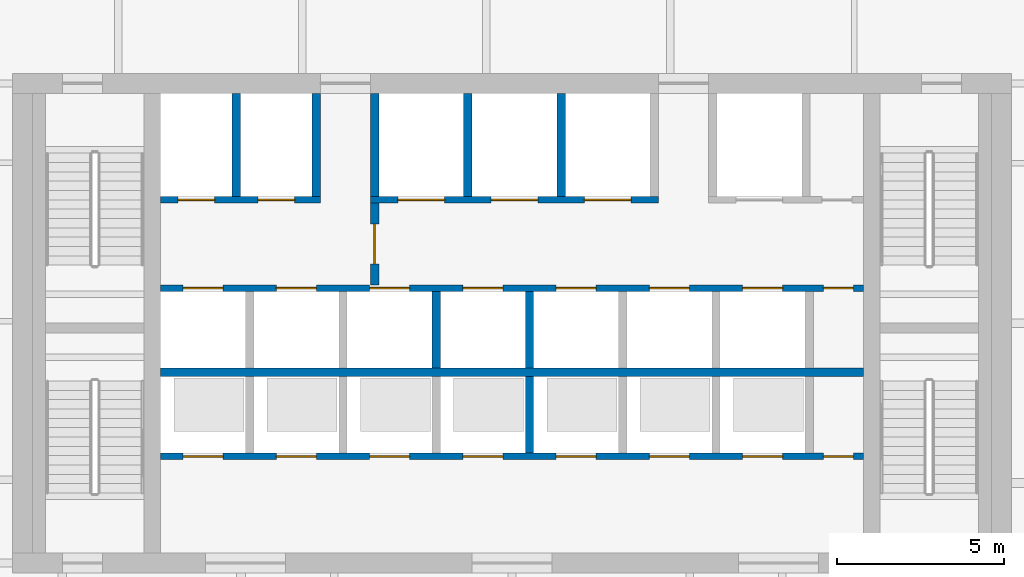
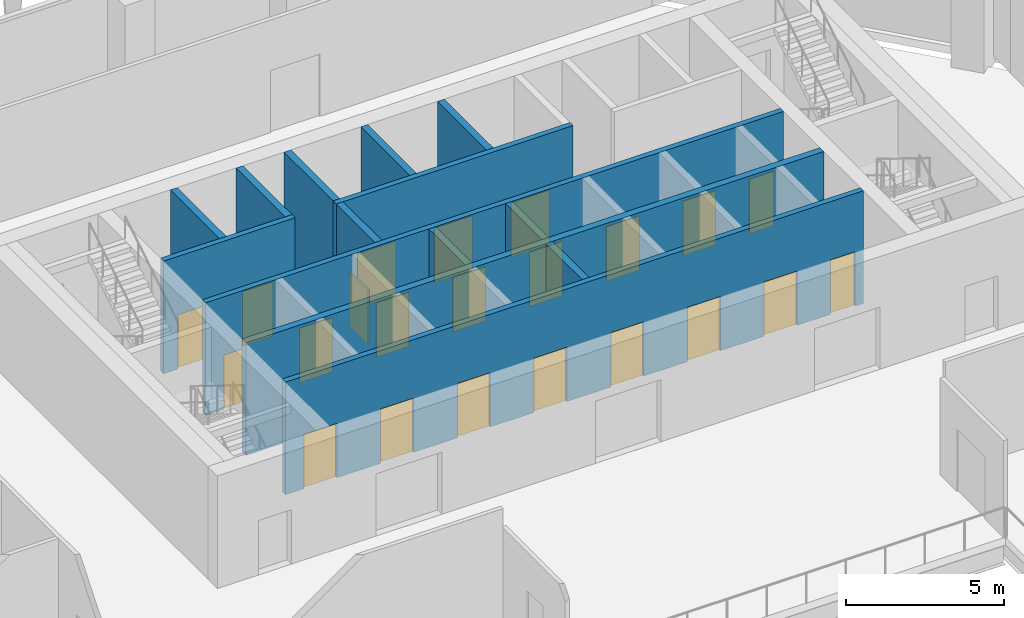
# One storey, part 10 of 21: 22 doors, 14 walls, 22 openings.
"""IFC4 building model written with IfcOpenShell, lengths in metres."""

from ifc_helpers import new_model, si_unit, direction, frame, frame_2d, origin, place, context, subcontext, project, spatial, rectangle, extrude, material, layer, layer_set, type_object, element, fill, save


model = new_model("IFC4")

# Units and contexts
model_context = context("Model", 3, precision=1e-05, world=origin(), true_north=direction((0.0, 1.0)))
body_context = subcontext(model_context, "Body", "Model", "MODEL_VIEW")
ifc_project = project(units=[si_unit("LENGTHUNIT", "METRE"), si_unit("AREAUNIT", "SQUARE_METRE"), si_unit("VOLUMEUNIT", "CUBIC_METRE"), si_unit("PLANEANGLEUNIT", "RADIAN"), si_unit("MASSUNIT", "GRAM", prefix="KILO")], contexts=[model_context])

# Site, building, storey
site_placement = place(None, origin())
site = spatial("IfcSite", under=ifc_project, at=site_placement, CompositionType="ELEMENT")
building_placement = place(site_placement, origin())
building = spatial("IfcBuilding", under=site, at=building_placement, Name="Isthmus Gate Tower", CompositionType="ELEMENT")
storey_placement = place(building_placement, frame((0.0, 0.0, 211.800048828125)))
storey = spatial("IfcBuildingStorey", under=building, at=storey_placement, Name="L53", CompositionType="ELEMENT", Elevation=211.800048828125)

# Wall, opening, door
ifc_material_1 = material(Name="Fire-rated blockwork masonry, 15 MPa", Category="masonry")
ifc_layer_1 = layer(ifc_material_1, 0.25)
ifc_layer_set_1 = layer_set([ifc_layer_1], Name="FIRE-FIGHTING LOBBY WALL 250 90 MIN")
wall_type_1 = type_object("IfcWallType", Name="FIRE-FIGHTING LOBBY WALL 250 90 MIN", PredefinedType="PARTITIONING", material=ifc_layer_set_1)
wall_1_placement = place(storey_placement, frame((-4.125, 8.64990234375, 0.0), z_axis=(0.0, 0.0, 1.0), x_axis=(0.0, 1.0, 0.0)))
wall_1 = element("IfcWall", 1, at=wall_1_placement, inside=storey, type_object=wall_type_1, Name="L53 FIRE-FIGHTING LOBBY WALL 250 90 MIN", PredefinedType="PARTITIONING", context=body_context, shape_type="SweptSolid", body=[
    extrude(rectangle(XDim=2.4501953125, YDim=0.25, at=frame_2d((1.22509765625, 0.0))), origin(), (0.0, 0.0, 1.0), 4.349853515625),
])
opening_1_placement = place(wall_1_placement, frame((0.625, 0.0, 0.0)))
opening_1 = element("IfcOpeningElement", 2, at=opening_1_placement, cuts=wall_1, Name="Opening DC-A15-01", PredefinedType="OPENING", context=body_context, shape_type="SweptSolid", body=[
    extrude(rectangle(XDim=1.199951171875, YDim=2.10009765625, at=frame_2d((0.60009765625, 1.050048828125))), frame((0.0, 0.135009765625, 0.0), z_axis=(0.0, -1.0, 0.0), x_axis=(1.0, 0.0, 0.0)), (0.0, 0.0, 1.0), 0.27001953125),
])
ifc_material_2 = material(Name="Steel door leaf, fire-rated", Category="steel")
door_type_1 = type_object("IfcDoorType", Name="LOBBY FIRE DOOR 1200 X 2100 90 MIN", OperationType="DOUBLE_DOOR_SINGLE_SWING", PredefinedType="DOOR", material=ifc_material_2)
door_1_placement = place(opening_1_placement, origin())
door_1 = element("IfcDoor", 3, at=door_1_placement, inside=storey, type_object=door_type_1, Name="Fire-fighting Lobby Door", OperationType="SINGLE_SWING_LEFT", OverallHeight=2.10009765625, OverallWidth=1.199951171875, PredefinedType="DOOR", context=body_context, shape_type="SweptSolid", body=[
    extrude(rectangle(XDim=1.199951171875, YDim=2.10009765625, at=frame_2d((0.60009765625, 1.050048828125))), frame((0.0, 0.02490234375, 0.0), z_axis=(0.0, -1.0, 0.0), x_axis=(1.0, 0.0, 0.0)), (0.0, 0.0, 1.0), 0.050048828125),
])
fill(opening_1, door_1)

# Wall, openings, doors
ifc_material_3 = material(Name="Fire-rated blockwork masonry, 15 MPa", Category="masonry")
ifc_layer_2 = layer(ifc_material_3, 0.199951171875)
ifc_layer_set_2 = layer_set([ifc_layer_2], Name="SHAFT FRONT WALL 200 120 MIN")
wall_type_2 = type_object("IfcWallType", Name="SHAFT FRONT WALL 200 120 MIN", PredefinedType="PARTITIONING", material=ifc_layer_set_2)
wall_2_placement = place(storey_placement, frame((-10.550048828125, 3.5, 0.0), z_axis=(0.0, 0.0, 1.0), x_axis=(1.0, 0.0, 0.0)))
wall_2 = element("IfcWall", 4, at=wall_2_placement, inside=storey, type_object=wall_type_2, Name="L53 SHAFT FRONT WALL 200 120 MIN", PredefinedType="PARTITIONING", context=body_context, shape_type="SweptSolid", body=[
    extrude(rectangle(XDim=21.10009765625, YDim=0.199951171875, at=frame_2d((10.550048828125, 0.0))), origin(), (0.0, 0.0, 1.0), 4.349853515625),
])
opening_2_placement = place(wall_2_placement, frame((0.675048828125, 0.0, 0.0)))
opening_2 = element("IfcOpeningElement", 5, at=opening_2_placement, cuts=wall_2, Name="Opening LD-LC1", PredefinedType="OPENING", context=body_context, shape_type="SweptSolid", body=[
    extrude(rectangle(XDim=1.199951171875, YDim=2.10009765625, at=frame_2d((0.60009765625, 1.050048828125))), frame((0.0, 0.10986328125, 0.0), z_axis=(0.0, -1.0, 0.0), x_axis=(1.0, 0.0, 0.0)), (0.0, 0.0, 1.0), 0.219970703125),
])
opening_3_placement = place(wall_2_placement, frame((3.47509765625, 0.0, 0.0)))
opening_3 = element("IfcOpeningElement", 6, at=opening_3_placement, cuts=wall_2, Name="Opening LD-LC2", PredefinedType="OPENING", context=body_context, shape_type="SweptSolid", body=[
    extrude(rectangle(XDim=1.199951171875, YDim=2.10009765625, at=frame_2d((0.60009765625, 1.050048828125))), frame((0.0, 0.10986328125, 0.0), z_axis=(0.0, -1.0, 0.0), x_axis=(1.0, 0.0, 0.0)), (0.0, 0.0, 1.0), 0.219970703125),
])
opening_4_placement = place(wall_2_placement, frame((6.27490234375, 0.0, 0.0)))
opening_4 = element("IfcOpeningElement", 7, at=opening_4_placement, cuts=wall_2, Name="Opening LD-LC3", PredefinedType="OPENING", context=body_context, shape_type="SweptSolid", body=[
    extrude(rectangle(XDim=1.199951171875, YDim=2.10009765625, at=frame_2d((0.60009765625, 1.050048828125))), frame((0.0, 0.10986328125, 0.0), z_axis=(0.0, -1.0, 0.0), x_axis=(1.0, 0.0, 0.0)), (0.0, 0.0, 1.0), 0.219970703125),
])
opening_5_placement = place(wall_2_placement, frame((9.074951171875, 0.0, 0.0)))
opening_5 = element("IfcOpeningElement", 8, at=opening_5_placement, cuts=wall_2, Name="Opening LD-LC4", PredefinedType="OPENING", context=body_context, shape_type="SweptSolid", body=[
    extrude(rectangle(XDim=1.199951171875, YDim=2.10009765625, at=frame_2d((0.60009765625, 1.050048828125))), frame((0.0, 0.10986328125, 0.0), z_axis=(0.0, -1.0, 0.0), x_axis=(1.0, 0.0, 0.0)), (0.0, 0.0, 1.0), 0.219970703125),
])
opening_6_placement = place(wall_2_placement, frame((11.875, 0.0, 0.0)))
opening_6 = element("IfcOpeningElement", 9, at=opening_6_placement, cuts=wall_2, Name="Opening LD-LC5", PredefinedType="OPENING", context=body_context, shape_type="SweptSolid", body=[
    extrude(rectangle(XDim=1.199951171875, YDim=2.10009765625, at=frame_2d((0.60009765625, 1.050048828125))), frame((0.0, 0.10986328125, 0.0), z_axis=(0.0, -1.0, 0.0), x_axis=(1.0, 0.0, 0.0)), (0.0, 0.0, 1.0), 0.219970703125),
])
opening_7_placement = place(wall_2_placement, frame((14.675048828125, 0.0, 0.0)))
opening_7 = element("IfcOpeningElement", 10, at=opening_7_placement, cuts=wall_2, Name="Opening LD-LC6", PredefinedType="OPENING", context=body_context, shape_type="SweptSolid", body=[
    extrude(rectangle(XDim=1.199951171875, YDim=2.10009765625, at=frame_2d((0.60009765625, 1.050048828125))), frame((0.0, 0.10986328125, 0.0), z_axis=(0.0, -1.0, 0.0), x_axis=(1.0, 0.0, 0.0)), (0.0, 0.0, 1.0), 0.219970703125),
])
opening_8_placement = place(wall_2_placement, frame((17.47509765625, 0.0, 0.0)))
opening_8 = element("IfcOpeningElement", 11, at=opening_8_placement, cuts=wall_2, Name="Opening LD-LC7", PredefinedType="OPENING", context=body_context, shape_type="SweptSolid", body=[
    extrude(rectangle(XDim=1.199951171875, YDim=2.10009765625, at=frame_2d((0.60009765625, 1.050048828125))), frame((0.0, 0.10986328125, 0.0), z_axis=(0.0, -1.0, 0.0), x_axis=(1.0, 0.0, 0.0)), (0.0, 0.0, 1.0), 0.219970703125),
])
opening_9_placement = place(wall_2_placement, frame((19.89990234375, 0.0, 0.0)))
opening_9 = element("IfcOpeningElement", 12, at=opening_9_placement, cuts=wall_2, Name="Opening DC-A15-02", PredefinedType="OPENING", context=body_context, shape_type="SweptSolid", body=[
    extrude(rectangle(XDim=0.89990234375, YDim=2.10009765625, at=frame_2d((0.449951171875, 1.050048828125))), frame((0.0, 0.10986328125, 0.0), z_axis=(0.0, -1.0, 0.0), x_axis=(1.0, 0.0, 0.0)), (0.0, 0.0, 1.0), 0.219970703125),
])
ifc_material_4 = material(Name="Stainless steel sliding leaf", Category="steel")
door_type_2 = type_object("IfcDoorType", Name="LIFT LANDING FIRE DOOR 1200 X 2100 90 MIN", OperationType="DOUBLE_DOOR_SLIDING", PredefinedType="DOOR", material=ifc_material_4)
door_2_placement = place(opening_2_placement, origin())
door_2 = element("IfcDoor", 13, at=door_2_placement, inside=storey, type_object=door_type_2, Name="Lift Landing Door LC1", OperationType="DOUBLE_DOOR_SLIDING", OverallHeight=2.10009765625, OverallWidth=1.199951171875, PredefinedType="DOOR", context=body_context, shape_type="SweptSolid", body=[
    extrude(rectangle(XDim=1.199951171875, YDim=2.10009765625, at=frame_2d((0.60009765625, 1.050048828125))), frame((0.0, 0.02490234375, 0.0), z_axis=(0.0, -1.0, 0.0), x_axis=(1.0, 0.0, 0.0)), (0.0, 0.0, 1.0), 0.050048828125),
])
fill(opening_2, door_2)
door_3_placement = place(opening_3_placement, origin())
door_3 = element("IfcDoor", 14, at=door_3_placement, inside=storey, type_object=door_type_2, Name="Lift Landing Door LC2", OperationType="DOUBLE_DOOR_SLIDING", OverallHeight=2.10009765625, OverallWidth=1.199951171875, PredefinedType="DOOR", context=body_context, shape_type="SweptSolid", body=[
    extrude(rectangle(XDim=1.199951171875, YDim=2.10009765625, at=frame_2d((0.60009765625, 1.050048828125))), frame((0.0, 0.02490234375, 0.0), z_axis=(0.0, -1.0, 0.0), x_axis=(1.0, 0.0, 0.0)), (0.0, 0.0, 1.0), 0.050048828125),
])
fill(opening_3, door_3)
door_4_placement = place(opening_4_placement, origin())
door_4 = element("IfcDoor", 15, at=door_4_placement, inside=storey, type_object=door_type_2, Name="Lift Landing Door LC3", OperationType="DOUBLE_DOOR_SLIDING", OverallHeight=2.10009765625, OverallWidth=1.199951171875, PredefinedType="DOOR", context=body_context, shape_type="SweptSolid", body=[
    extrude(rectangle(XDim=1.199951171875, YDim=2.10009765625, at=frame_2d((0.60009765625, 1.050048828125))), frame((0.0, 0.02490234375, 0.0), z_axis=(0.0, -1.0, 0.0), x_axis=(1.0, 0.0, 0.0)), (0.0, 0.0, 1.0), 0.050048828125),
])
fill(opening_4, door_4)
door_5_placement = place(opening_5_placement, origin())
door_5 = element("IfcDoor", 16, at=door_5_placement, inside=storey, type_object=door_type_2, Name="Lift Landing Door LC4", OperationType="DOUBLE_DOOR_SLIDING", OverallHeight=2.10009765625, OverallWidth=1.199951171875, PredefinedType="DOOR", context=body_context, shape_type="SweptSolid", body=[
    extrude(rectangle(XDim=1.199951171875, YDim=2.10009765625, at=frame_2d((0.60009765625, 1.050048828125))), frame((0.0, 0.02490234375, 0.0), z_axis=(0.0, -1.0, 0.0), x_axis=(1.0, 0.0, 0.0)), (0.0, 0.0, 1.0), 0.050048828125),
])
fill(opening_5, door_5)
door_6_placement = place(opening_6_placement, origin())
door_6 = element("IfcDoor", 17, at=door_6_placement, inside=storey, type_object=door_type_2, Name="Lift Landing Door LC5", OperationType="DOUBLE_DOOR_SLIDING", OverallHeight=2.10009765625, OverallWidth=1.199951171875, PredefinedType="DOOR", context=body_context, shape_type="SweptSolid", body=[
    extrude(rectangle(XDim=1.199951171875, YDim=2.10009765625, at=frame_2d((0.60009765625, 1.050048828125))), frame((0.0, 0.02490234375, 0.0), z_axis=(0.0, -1.0, 0.0), x_axis=(1.0, 0.0, 0.0)), (0.0, 0.0, 1.0), 0.050048828125),
])
fill(opening_6, door_6)
door_7_placement = place(opening_7_placement, origin())
door_7 = element("IfcDoor", 18, at=door_7_placement, inside=storey, type_object=door_type_2, Name="Lift Landing Door LC6", OperationType="DOUBLE_DOOR_SLIDING", OverallHeight=2.10009765625, OverallWidth=1.199951171875, PredefinedType="DOOR", context=body_context, shape_type="SweptSolid", body=[
    extrude(rectangle(XDim=1.199951171875, YDim=2.10009765625, at=frame_2d((0.60009765625, 1.050048828125))), frame((0.0, 0.02490234375, 0.0), z_axis=(0.0, -1.0, 0.0), x_axis=(1.0, 0.0, 0.0)), (0.0, 0.0, 1.0), 0.050048828125),
])
fill(opening_7, door_7)
door_8_placement = place(opening_8_placement, origin())
door_8 = element("IfcDoor", 19, at=door_8_placement, inside=storey, type_object=door_type_2, Name="Lift Landing Door LC7", OperationType="DOUBLE_DOOR_SLIDING", OverallHeight=2.10009765625, OverallWidth=1.199951171875, PredefinedType="DOOR", context=body_context, shape_type="SweptSolid", body=[
    extrude(rectangle(XDim=1.199951171875, YDim=2.10009765625, at=frame_2d((0.60009765625, 1.050048828125))), frame((0.0, 0.02490234375, 0.0), z_axis=(0.0, -1.0, 0.0), x_axis=(1.0, 0.0, 0.0)), (0.0, 0.0, 1.0), 0.050048828125),
])
fill(opening_8, door_8)
ifc_material_5 = material(Name="Steel door leaf, fire-rated", Category="steel")
door_type_3 = type_object("IfcDoorType", Name="RISER FIRE DOOR 900 X 2100 90 MIN", OperationType="SINGLE_SWING_LEFT", PredefinedType="DOOR", material=ifc_material_5)
door_9_placement = place(opening_9_placement, origin())
door_9 = element("IfcDoor", 20, at=door_9_placement, inside=storey, type_object=door_type_3, Name="Riser Door", OperationType="SINGLE_SWING_RIGHT", OverallHeight=2.10009765625, OverallWidth=0.89990234375, PredefinedType="DOOR", context=body_context, shape_type="SweptSolid", body=[
    extrude(rectangle(XDim=0.89990234375, YDim=2.10009765625, at=frame_2d((0.449951171875, 1.050048828125))), frame((0.0, 0.02490234375, 0.0), z_axis=(0.0, -1.0, 0.0), x_axis=(1.0, 0.0, 0.0)), (0.0, 0.0, 1.0), 0.050048828125),
])
fill(opening_9, door_9)

wall_3_placement = place(storey_placement, frame((-10.550048828125, 8.550048828125, 0.0), z_axis=(0.0, 0.0, 1.0), x_axis=(1.0, 0.0, 0.0)))
wall_3 = element("IfcWall", 21, at=wall_3_placement, inside=storey, type_object=wall_type_2, Name="L53 SHAFT FRONT WALL 200 120 MIN", PredefinedType="PARTITIONING", context=body_context, shape_type="SweptSolid", body=[
    extrude(rectangle(XDim=21.10009765625, YDim=0.199951171875, at=frame_2d((10.550048828125, 0.0))), origin(), (0.0, 0.0, 1.0), 4.349853515625),
])
opening_10_placement = place(wall_3_placement, frame((0.675048828125, 0.0, 0.0)))
opening_10 = element("IfcOpeningElement", 22, at=opening_10_placement, cuts=wall_3, Name="Opening LD-LB1", PredefinedType="OPENING", context=body_context, shape_type="SweptSolid", body=[
    extrude(rectangle(XDim=1.199951171875, YDim=2.10009765625, at=frame_2d((0.60009765625, 1.050048828125))), frame((0.0, 0.10986328125, 0.0), z_axis=(0.0, -1.0, 0.0), x_axis=(1.0, 0.0, 0.0)), (0.0, 0.0, 1.0), 0.219970703125),
])
opening_11_placement = place(wall_3_placement, frame((3.47509765625, 0.0, 0.0)))
opening_11 = element("IfcOpeningElement", 23, at=opening_11_placement, cuts=wall_3, Name="Opening LD-LB2", PredefinedType="OPENING", context=body_context, shape_type="SweptSolid", body=[
    extrude(rectangle(XDim=1.199951171875, YDim=2.10009765625, at=frame_2d((0.60009765625, 1.050048828125))), frame((0.0, 0.10986328125, 0.0), z_axis=(0.0, -1.0, 0.0), x_axis=(1.0, 0.0, 0.0)), (0.0, 0.0, 1.0), 0.219970703125),
])
opening_12_placement = place(wall_3_placement, frame((6.27490234375, 0.0, 0.0)))
opening_12 = element("IfcOpeningElement", 24, at=opening_12_placement, cuts=wall_3, Name="Opening LD-LB3", PredefinedType="OPENING", context=body_context, shape_type="SweptSolid", body=[
    extrude(rectangle(XDim=1.199951171875, YDim=2.10009765625, at=frame_2d((0.60009765625, 1.050048828125))), frame((0.0, 0.10986328125, 0.0), z_axis=(0.0, -1.0, 0.0), x_axis=(1.0, 0.0, 0.0)), (0.0, 0.0, 1.0), 0.219970703125),
])
opening_13_placement = place(wall_3_placement, frame((9.074951171875, 0.0, 0.0)))
opening_13 = element("IfcOpeningElement", 25, at=opening_13_placement, cuts=wall_3, Name="Opening LD-LB4", PredefinedType="OPENING", context=body_context, shape_type="SweptSolid", body=[
    extrude(rectangle(XDim=1.199951171875, YDim=2.10009765625, at=frame_2d((0.60009765625, 1.050048828125))), frame((0.0, 0.10986328125, 0.0), z_axis=(0.0, -1.0, 0.0), x_axis=(1.0, 0.0, 0.0)), (0.0, 0.0, 1.0), 0.219970703125),
])
opening_14_placement = place(wall_3_placement, frame((11.875, 0.0, 0.0)))
opening_14 = element("IfcOpeningElement", 26, at=opening_14_placement, cuts=wall_3, Name="Opening LD-LB5", PredefinedType="OPENING", context=body_context, shape_type="SweptSolid", body=[
    extrude(rectangle(XDim=1.199951171875, YDim=2.10009765625, at=frame_2d((0.60009765625, 1.050048828125))), frame((0.0, 0.10986328125, 0.0), z_axis=(0.0, -1.0, 0.0), x_axis=(1.0, 0.0, 0.0)), (0.0, 0.0, 1.0), 0.219970703125),
])
opening_15_placement = place(wall_3_placement, frame((14.675048828125, 0.0, 0.0)))
opening_15 = element("IfcOpeningElement", 27, at=opening_15_placement, cuts=wall_3, Name="Opening LD-LB6", PredefinedType="OPENING", context=body_context, shape_type="SweptSolid", body=[
    extrude(rectangle(XDim=1.199951171875, YDim=2.10009765625, at=frame_2d((0.60009765625, 1.050048828125))), frame((0.0, 0.10986328125, 0.0), z_axis=(0.0, -1.0, 0.0), x_axis=(1.0, 0.0, 0.0)), (0.0, 0.0, 1.0), 0.219970703125),
])
opening_16_placement = place(wall_3_placement, frame((17.47509765625, 0.0, 0.0)))
opening_16 = element("IfcOpeningElement", 28, at=opening_16_placement, cuts=wall_3, Name="Opening LD-LB7", PredefinedType="OPENING", context=body_context, shape_type="SweptSolid", body=[
    extrude(rectangle(XDim=1.199951171875, YDim=2.10009765625, at=frame_2d((0.60009765625, 1.050048828125))), frame((0.0, 0.10986328125, 0.0), z_axis=(0.0, -1.0, 0.0), x_axis=(1.0, 0.0, 0.0)), (0.0, 0.0, 1.0), 0.219970703125),
])
opening_17_placement = place(wall_3_placement, frame((19.89990234375, 0.0, 0.0)))
opening_17 = element("IfcOpeningElement", 29, at=opening_17_placement, cuts=wall_3, Name="Opening DC-A15-03", PredefinedType="OPENING", context=body_context, shape_type="SweptSolid", body=[
    extrude(rectangle(XDim=0.89990234375, YDim=2.10009765625, at=frame_2d((0.449951171875, 1.050048828125))), frame((0.0, 0.10986328125, 0.0), z_axis=(0.0, -1.0, 0.0), x_axis=(1.0, 0.0, 0.0)), (0.0, 0.0, 1.0), 0.219970703125),
])
door_10_placement = place(opening_10_placement, origin())
door_10 = element("IfcDoor", 30, at=door_10_placement, inside=storey, type_object=door_type_2, Name="Lift Landing Door LB1", OperationType="DOUBLE_DOOR_SLIDING", OverallHeight=2.10009765625, OverallWidth=1.199951171875, PredefinedType="DOOR", context=body_context, shape_type="SweptSolid", body=[
    extrude(rectangle(XDim=1.199951171875, YDim=2.10009765625, at=frame_2d((0.60009765625, 1.050048828125))), frame((0.0, 0.02490234375, 0.0), z_axis=(0.0, -1.0, 0.0), x_axis=(1.0, 0.0, 0.0)), (0.0, 0.0, 1.0), 0.050048828125),
])
fill(opening_10, door_10)
door_11_placement = place(opening_11_placement, origin())
door_11 = element("IfcDoor", 31, at=door_11_placement, inside=storey, type_object=door_type_2, Name="Lift Landing Door LB2", OperationType="DOUBLE_DOOR_SLIDING", OverallHeight=2.10009765625, OverallWidth=1.199951171875, PredefinedType="DOOR", context=body_context, shape_type="SweptSolid", body=[
    extrude(rectangle(XDim=1.199951171875, YDim=2.10009765625, at=frame_2d((0.60009765625, 1.050048828125))), frame((0.0, 0.02490234375, 0.0), z_axis=(0.0, -1.0, 0.0), x_axis=(1.0, 0.0, 0.0)), (0.0, 0.0, 1.0), 0.050048828125),
])
fill(opening_11, door_11)
door_12_placement = place(opening_12_placement, origin())
door_12 = element("IfcDoor", 32, at=door_12_placement, inside=storey, type_object=door_type_2, Name="Lift Landing Door LB3", OperationType="DOUBLE_DOOR_SLIDING", OverallHeight=2.10009765625, OverallWidth=1.199951171875, PredefinedType="DOOR", context=body_context, shape_type="SweptSolid", body=[
    extrude(rectangle(XDim=1.199951171875, YDim=2.10009765625, at=frame_2d((0.60009765625, 1.050048828125))), frame((0.0, 0.02490234375, 0.0), z_axis=(0.0, -1.0, 0.0), x_axis=(1.0, 0.0, 0.0)), (0.0, 0.0, 1.0), 0.050048828125),
])
fill(opening_12, door_12)
door_13_placement = place(opening_13_placement, origin())
door_13 = element("IfcDoor", 33, at=door_13_placement, inside=storey, type_object=door_type_2, Name="Lift Landing Door LB4", OperationType="DOUBLE_DOOR_SLIDING", OverallHeight=2.10009765625, OverallWidth=1.199951171875, PredefinedType="DOOR", context=body_context, shape_type="SweptSolid", body=[
    extrude(rectangle(XDim=1.199951171875, YDim=2.10009765625, at=frame_2d((0.60009765625, 1.050048828125))), frame((0.0, 0.02490234375, 0.0), z_axis=(0.0, -1.0, 0.0), x_axis=(1.0, 0.0, 0.0)), (0.0, 0.0, 1.0), 0.050048828125),
])
fill(opening_13, door_13)
door_14_placement = place(opening_14_placement, origin())
door_14 = element("IfcDoor", 34, at=door_14_placement, inside=storey, type_object=door_type_2, Name="Lift Landing Door LB5", OperationType="DOUBLE_DOOR_SLIDING", OverallHeight=2.10009765625, OverallWidth=1.199951171875, PredefinedType="DOOR", context=body_context, shape_type="SweptSolid", body=[
    extrude(rectangle(XDim=1.199951171875, YDim=2.10009765625, at=frame_2d((0.60009765625, 1.050048828125))), frame((0.0, 0.02490234375, 0.0), z_axis=(0.0, -1.0, 0.0), x_axis=(1.0, 0.0, 0.0)), (0.0, 0.0, 1.0), 0.050048828125),
])
fill(opening_14, door_14)
door_15_placement = place(opening_15_placement, origin())
door_15 = element("IfcDoor", 35, at=door_15_placement, inside=storey, type_object=door_type_2, Name="Lift Landing Door LB6", OperationType="DOUBLE_DOOR_SLIDING", OverallHeight=2.10009765625, OverallWidth=1.199951171875, PredefinedType="DOOR", context=body_context, shape_type="SweptSolid", body=[
    extrude(rectangle(XDim=1.199951171875, YDim=2.10009765625, at=frame_2d((0.60009765625, 1.050048828125))), frame((0.0, 0.02490234375, 0.0), z_axis=(0.0, -1.0, 0.0), x_axis=(1.0, 0.0, 0.0)), (0.0, 0.0, 1.0), 0.050048828125),
])
fill(opening_15, door_15)
door_16_placement = place(opening_16_placement, origin())
door_16 = element("IfcDoor", 36, at=door_16_placement, inside=storey, type_object=door_type_2, Name="Lift Landing Door LB7", OperationType="DOUBLE_DOOR_SLIDING", OverallHeight=2.10009765625, OverallWidth=1.199951171875, PredefinedType="DOOR", context=body_context, shape_type="SweptSolid", body=[
    extrude(rectangle(XDim=1.199951171875, YDim=2.10009765625, at=frame_2d((0.60009765625, 1.050048828125))), frame((0.0, 0.02490234375, 0.0), z_axis=(0.0, -1.0, 0.0), x_axis=(1.0, 0.0, 0.0)), (0.0, 0.0, 1.0), 0.050048828125),
])
fill(opening_16, door_16)
door_17_placement = place(opening_17_placement, origin())
door_17 = element("IfcDoor", 37, at=door_17_placement, inside=storey, type_object=door_type_3, Name="Riser Door", OperationType="SINGLE_SWING_RIGHT", OverallHeight=2.10009765625, OverallWidth=0.89990234375, PredefinedType="DOOR", context=body_context, shape_type="SweptSolid", body=[
    extrude(rectangle(XDim=0.89990234375, YDim=2.10009765625, at=frame_2d((0.449951171875, 1.050048828125))), frame((0.0, 0.02490234375, 0.0), z_axis=(0.0, -1.0, 0.0), x_axis=(1.0, 0.0, 0.0)), (0.0, 0.0, 1.0), 0.050048828125),
])
fill(opening_17, door_17)

wall_4_placement = place(storey_placement, frame((-10.550048828125, 11.199951171875, 0.0), z_axis=(0.0, 0.0, 1.0), x_axis=(1.0, 0.0, 0.0)))
wall_4 = element("IfcWall", 38, at=wall_4_placement, inside=storey, type_object=wall_type_2, Name="L53 SHAFT FRONT WALL 200 120 MIN", PredefinedType="PARTITIONING", context=body_context, shape_type="SweptSolid", body=[
    extrude(rectangle(XDim=4.800048828125, YDim=0.199951171875, at=frame_2d((2.39990234375, 0.0))), origin(), (0.0, 0.0, 1.0), 4.349853515625),
])
opening_18_placement = place(wall_4_placement, frame((0.52490234375, 0.0, 0.0)))
opening_18 = element("IfcOpeningElement", 39, at=opening_18_placement, cuts=wall_4, Name="Opening LD-LF1", PredefinedType="OPENING", context=body_context, shape_type="SweptSolid", body=[
    extrude(rectangle(XDim=1.10009765625, YDim=2.10009765625, at=frame_2d((0.550048828125, 1.050048828125))), frame((0.0, 0.10986328125, 0.0), z_axis=(0.0, -1.0, 0.0), x_axis=(1.0, 0.0, 0.0)), (0.0, 0.0, 1.0), 0.219970703125),
])
opening_19_placement = place(wall_4_placement, frame((2.925048828125, 0.0, 0.0)))
opening_19 = element("IfcOpeningElement", 40, at=opening_19_placement, cuts=wall_4, Name="Opening LD-LF2", PredefinedType="OPENING", context=body_context, shape_type="SweptSolid", body=[
    extrude(rectangle(XDim=1.10009765625, YDim=2.10009765625, at=frame_2d((0.550048828125, 1.050048828125))), frame((0.0, 0.10986328125, 0.0), z_axis=(0.0, -1.0, 0.0), x_axis=(1.0, 0.0, 0.0)), (0.0, 0.0, 1.0), 0.219970703125),
])
ifc_material_6 = material(Name="Stainless steel sliding leaf", Category="steel")
door_type_4 = type_object("IfcDoorType", Name="LIFT LANDING FIRE DOOR 1100 X 2100 90 MIN", OperationType="DOUBLE_DOOR_SLIDING", PredefinedType="DOOR", material=ifc_material_6)
door_18_placement = place(opening_18_placement, origin())
door_18 = element("IfcDoor", 41, at=door_18_placement, inside=storey, type_object=door_type_4, Name="Lift Landing Door LF1", OperationType="DOUBLE_DOOR_SLIDING", OverallHeight=2.10009765625, OverallWidth=1.10009765625, PredefinedType="DOOR", context=body_context, shape_type="SweptSolid", body=[
    extrude(rectangle(XDim=1.10009765625, YDim=2.10009765625, at=frame_2d((0.550048828125, 1.050048828125))), frame((0.0, 0.02490234375, 0.0), z_axis=(0.0, -1.0, 0.0), x_axis=(1.0, 0.0, 0.0)), (0.0, 0.0, 1.0), 0.050048828125),
])
fill(opening_18, door_18)
door_19_placement = place(opening_19_placement, origin())
door_19 = element("IfcDoor", 42, at=door_19_placement, inside=storey, type_object=door_type_4, Name="Lift Landing Door LF2", OperationType="DOUBLE_DOOR_SLIDING", OverallHeight=2.10009765625, OverallWidth=1.10009765625, PredefinedType="DOOR", context=body_context, shape_type="SweptSolid", body=[
    extrude(rectangle(XDim=1.10009765625, YDim=2.10009765625, at=frame_2d((0.550048828125, 1.050048828125))), frame((0.0, 0.02490234375, 0.0), z_axis=(0.0, -1.0, 0.0), x_axis=(1.0, 0.0, 0.0)), (0.0, 0.0, 1.0), 0.050048828125),
])
fill(opening_19, door_19)

wall_5_placement = place(storey_placement, frame((-4.25, 11.199951171875, 0.0), z_axis=(0.0, 0.0, 1.0), x_axis=(1.0, 0.0, 0.0)))
wall_5 = element("IfcWall", 43, at=wall_5_placement, inside=storey, type_object=wall_type_2, Name="L53 SHAFT FRONT WALL 200 120 MIN", PredefinedType="PARTITIONING", context=body_context, shape_type="SweptSolid", body=[
    extrude(rectangle(XDim=8.64990234375, YDim=0.199951171875, at=frame_2d((4.324951171875, 0.0))), origin(), (0.0, 0.0, 1.0), 4.349853515625),
])
opening_20_placement = place(wall_5_placement, frame((0.824951171875, 0.0, 0.0)))
opening_20 = element("IfcOpeningElement", 44, at=opening_20_placement, cuts=wall_5, Name="Opening LD-LV1", PredefinedType="OPENING", context=body_context, shape_type="SweptSolid", body=[
    extrude(rectangle(XDim=1.39990234375, YDim=2.10009765625, at=frame_2d((0.699951171875, 1.050048828125))), frame((0.0, 0.10986328125, 0.0), z_axis=(0.0, -1.0, 0.0), x_axis=(1.0, 0.0, 0.0)), (0.0, 0.0, 1.0), 0.219970703125),
])
opening_21_placement = place(wall_5_placement, frame((3.625, 0.0, 0.0)))
opening_21 = element("IfcOpeningElement", 45, at=opening_21_placement, cuts=wall_5, Name="Opening LD-LV2", PredefinedType="OPENING", context=body_context, shape_type="SweptSolid", body=[
    extrude(rectangle(XDim=1.39990234375, YDim=2.10009765625, at=frame_2d((0.699951171875, 1.050048828125))), frame((0.0, 0.10986328125, 0.0), z_axis=(0.0, -1.0, 0.0), x_axis=(1.0, 0.0, 0.0)), (0.0, 0.0, 1.0), 0.219970703125),
])
opening_22_placement = place(wall_5_placement, frame((6.425048828125, 0.0, 0.0)))
opening_22 = element("IfcOpeningElement", 46, at=opening_22_placement, cuts=wall_5, Name="Opening LD-LS1", PredefinedType="OPENING", context=body_context, shape_type="SweptSolid", body=[
    extrude(rectangle(XDim=1.39990234375, YDim=2.10009765625, at=frame_2d((0.699951171875, 1.050048828125))), frame((0.0, 0.10986328125, 0.0), z_axis=(0.0, -1.0, 0.0), x_axis=(1.0, 0.0, 0.0)), (0.0, 0.0, 1.0), 0.219970703125),
])
ifc_material_7 = material(Name="Stainless steel sliding leaf", Category="steel")
door_type_5 = type_object("IfcDoorType", Name="LIFT LANDING FIRE DOOR 1400 X 2100 90 MIN", OperationType="DOUBLE_DOOR_SLIDING", PredefinedType="DOOR", material=ifc_material_7)
door_20_placement = place(opening_20_placement, origin())
door_20 = element("IfcDoor", 47, at=door_20_placement, inside=storey, type_object=door_type_5, Name="Lift Landing Door LV1", OperationType="DOUBLE_DOOR_SLIDING", OverallHeight=2.10009765625, OverallWidth=1.39990234375, PredefinedType="DOOR", context=body_context, shape_type="SweptSolid", body=[
    extrude(rectangle(XDim=1.39990234375, YDim=2.10009765625, at=frame_2d((0.699951171875, 1.050048828125))), frame((0.0, 0.02490234375, 0.0), z_axis=(0.0, -1.0, 0.0), x_axis=(1.0, 0.0, 0.0)), (0.0, 0.0, 1.0), 0.050048828125),
])
fill(opening_20, door_20)
door_21_placement = place(opening_21_placement, origin())
door_21 = element("IfcDoor", 48, at=door_21_placement, inside=storey, type_object=door_type_5, Name="Lift Landing Door LV2", OperationType="DOUBLE_DOOR_SLIDING", OverallHeight=2.10009765625, OverallWidth=1.39990234375, PredefinedType="DOOR", context=body_context, shape_type="SweptSolid", body=[
    extrude(rectangle(XDim=1.39990234375, YDim=2.10009765625, at=frame_2d((0.699951171875, 1.050048828125))), frame((0.0, 0.02490234375, 0.0), z_axis=(0.0, -1.0, 0.0), x_axis=(1.0, 0.0, 0.0)), (0.0, 0.0, 1.0), 0.050048828125),
])
fill(opening_21, door_21)
door_22_placement = place(opening_22_placement, origin())
door_22 = element("IfcDoor", 49, at=door_22_placement, inside=storey, type_object=door_type_5, Name="Lift Landing Door LS1", OperationType="DOUBLE_DOOR_SLIDING", OverallHeight=2.10009765625, OverallWidth=1.39990234375, PredefinedType="DOOR", context=body_context, shape_type="SweptSolid", body=[
    extrude(rectangle(XDim=1.39990234375, YDim=2.10009765625, at=frame_2d((0.699951171875, 1.050048828125))), frame((0.0, 0.02490234375, 0.0), z_axis=(0.0, -1.0, 0.0), x_axis=(1.0, 0.0, 0.0)), (0.0, 0.0, 1.0), 0.050048828125),
])
fill(opening_22, door_22)

# Walls
ifc_material_8 = material(Name="Fire-rated blockwork masonry, 15 MPa", Category="masonry")
ifc_layer_3 = layer(ifc_material_8, 0.25)
ifc_layer_set_3 = layer_set([ifc_layer_3], Name="SHAFT WALL 250 120 MIN")
wall_type_3 = type_object("IfcWallType", Name="SHAFT WALL 250 120 MIN", PredefinedType="PARTITIONING", material=ifc_layer_set_3)
wall_6_placement = place(storey_placement, frame((-10.550048828125, 6.02490234375, 0.0), z_axis=(0.0, 0.0, 1.0), x_axis=(1.0, 0.0, 0.0)))
element("IfcWall", 50, at=wall_6_placement, inside=storey, type_object=wall_type_3, Name="L53 SHAFT WALL 250 120 MIN", PredefinedType="PARTITIONING", context=body_context, shape_type="SweptSolid", body=[
    extrude(rectangle(XDim=21.10009765625, YDim=0.25, at=frame_2d((10.550048828125, 0.0))), origin(), (0.0, 0.0, 1.0), 4.349853515625),
])
wall_7_placement = place(storey_placement, frame((0.52490234375, 3.60009765625, 0.0), z_axis=(0.0, 0.0, 1.0), x_axis=(0.0, 1.0, 0.0)))
element("IfcWall", 51, at=wall_7_placement, inside=storey, type_object=wall_type_3, Name="L53 SHAFT WALL 250 120 MIN", PredefinedType="PARTITIONING", context=body_context, shape_type="SweptSolid", body=[
    extrude(rectangle(XDim=2.2998046875, YDim=0.25, at=frame_2d((1.14990234375, 0.0))), origin(), (0.0, 0.0, 1.0), 4.349853515625),
])
for number, where, z_axis, x_axis, name in (
    (52, (-2.27490234375, 6.14990234375, 0.0), (0.0, 0.0, 1.0), (0.0, 1.0, 0.0), "L53 SHAFT WALL 250 120 MIN"),
    (53, (0.52490234375, 6.14990234375, 0.0), (0.0, 0.0, 1.0), (0.0, 1.0, 0.0), "L53 SHAFT WALL 250 120 MIN"),
):
    element("IfcWall", number, at=place(storey_placement, frame(where, z_axis=z_axis, x_axis=x_axis)), inside=storey, type_object=wall_type_3, Name=name, PredefinedType="PARTITIONING", context=body_context, shape_type="SweptSolid", body=[
        extrude(rectangle(XDim=2.300048828125, YDim=0.25, at=frame_2d((1.14990234375, 0.0))), origin(), (0.0, 0.0, 1.0), 4.349853515625),
    ])
for number, where, z_axis, x_axis, name in (
    (54, (-8.27490234375, 11.300048828125, 0.0), (0.0, 0.0, 1.0), (0.0, 1.0, 0.0), "L53 SHAFT WALL 250 120 MIN"),
    (55, (-5.875, 11.300048828125, 0.0), (0.0, 0.0, 1.0), (0.0, 1.0, 0.0), "L53 SHAFT WALL 250 120 MIN"),
    (56, (-4.125, 11.300048828125, 0.0), (0.0, 0.0, 1.0), (0.0, 1.0, 0.0), "L53 SHAFT WALL 250 120 MIN"),
    (57, (-1.324951171875, 11.300048828125, 0.0), (0.0, 0.0, 1.0), (0.0, 1.0, 0.0), "L53 SHAFT WALL 250 120 MIN"),
    (58, (1.47509765625, 11.300048828125, 0.0), (0.0, 0.0, 1.0), (0.0, 1.0, 0.0), "L53 SHAFT WALL 250 120 MIN"),
):
    element("IfcWall", number, at=place(storey_placement, frame(where, z_axis=z_axis, x_axis=x_axis)), inside=storey, type_object=wall_type_3, Name=name, PredefinedType="PARTITIONING", context=body_context, shape_type="SweptSolid", body=[
        extrude(rectangle(XDim=3.099853515625, YDim=0.25, at=frame_2d((1.5498046875, 0.0))), origin(), (0.0, 0.0, 1.0), 4.349853515625),
    ])

save(model, "model.ifc")
